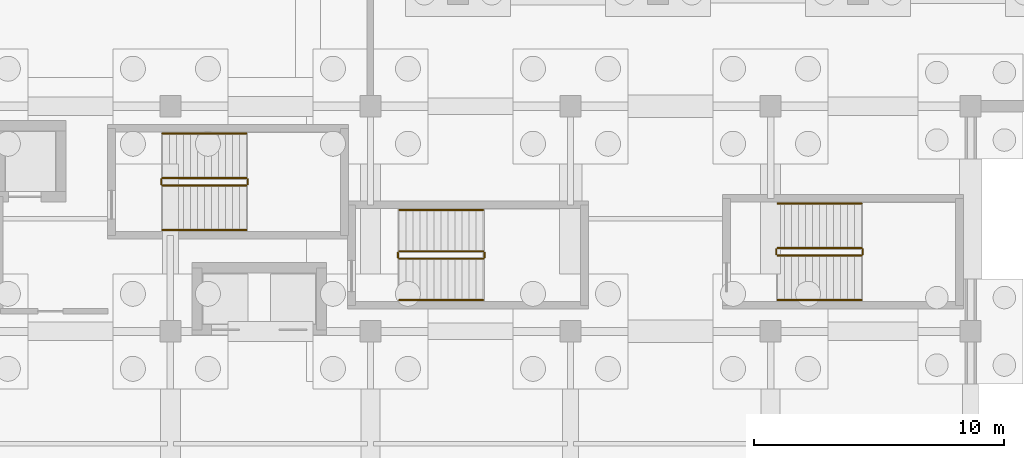
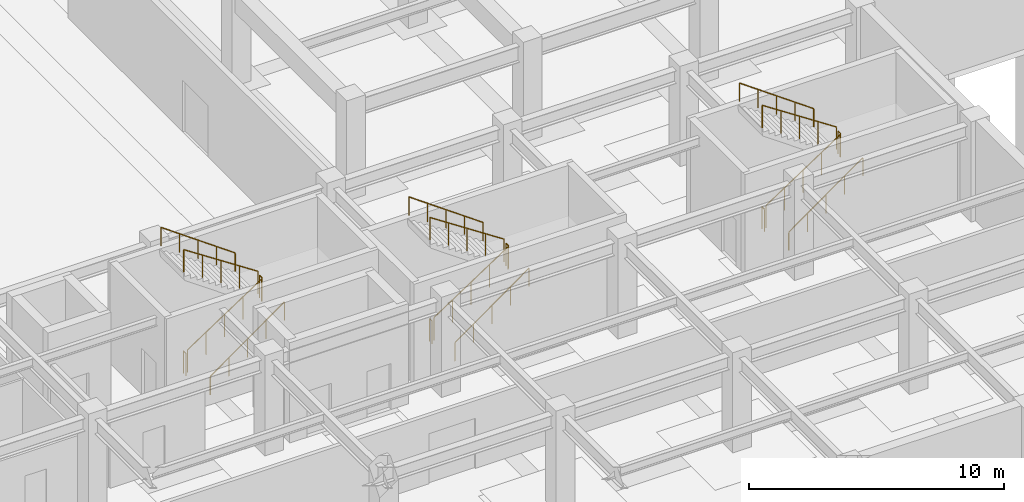
# One storey, part 42 of 48: 18 railings.
"""IFC4 building model written with IfcOpenShell, lengths in metres."""

from ifc_helpers import new_model, si_unit, direction, frame, origin, origin_2d, place, context, subcontext, project, spatial, circle, extrude, material, type_object, element, save


model = new_model("IFC4")

# Units and contexts
model_context = context("Model", 3, precision=1e-05, world=origin(), true_north=direction((0.0, 1.0)))
body_context = subcontext(model_context, "Body", "Model", "MODEL_VIEW")
ifc_project = project(units=[si_unit("LENGTHUNIT", "METRE"), si_unit("AREAUNIT", "SQUARE_METRE"), si_unit("VOLUMEUNIT", "CUBIC_METRE"), si_unit("PLANEANGLEUNIT", "RADIAN"), si_unit("MASSUNIT", "GRAM", prefix="KILO")], contexts=[model_context])

# Site, building, storey
site_placement = place(None, origin())
site = spatial("IfcSite", under=ifc_project, at=site_placement, CompositionType="ELEMENT")
building_placement = place(site_placement, origin())
building = spatial("IfcBuilding", under=site, at=building_placement, Name="Tlacozan Convention Centre", CompositionType="ELEMENT")
storey_placement = place(building_placement, frame((0.0, 0.0, -4.800048828125)))
storey = spatial("IfcBuildingStorey", under=building, at=storey_placement, Name="B01", CompositionType="ELEMENT", Elevation=-4.800048828125)

# Railings
ifc_material = material(Name="Architectural Painted Galvanised Steel Railing", Category="steel")
railing_type_1 = type_object("IfcRailingType", Name="Stair Wall Handrail 900", PredefinedType="HANDRAIL", material=ifc_material)
railing_1_placement = place(storey_placement, frame((79.679931640625, 22.050048828125, 0.1845703125)))
element("IfcRailing", 1, at=railing_1_placement, inside=storey, type_object=railing_type_1, Name="B01 ST-02 stair handrail 1", PredefinedType="HANDRAIL", context=body_context, shape_type="SweptSolid", body=[
    extrude(circle(Radius=0.02392578125, at=origin_2d()), frame((0.0, 0.0, 0.8759765625), z_axis=(0.813725481382, 0.0, 0.581249379312), x_axis=(0.0, 1.0, 0.0)), (0.0, 0.0, 1.0), 4.12939453125),
    extrude(circle(Radius=0.02099609375, at=origin_2d()), origin(), (0.0, 0.0, 1.0), 0.851806640625),
    extrude(circle(Radius=0.02099609375, at=origin_2d()), frame((0.840087890625, 0.0, 0.60009765625)), (0.0, 0.0, 1.0), 0.851806640625),
    extrude(circle(Radius=0.02099609375, at=origin_2d()), frame((1.68017578125, 0.0, 1.2001953125)), (0.0, 0.0, 1.0), 0.851806640625),
    extrude(circle(Radius=0.02099609375, at=origin_2d()), frame((2.52001953125, 0.0, 1.800048828125)), (0.0, 0.0, 1.0), 0.851806640625),
    extrude(circle(Radius=0.02099609375, at=origin_2d()), frame((3.360107421875, 0.0, 2.400146484375)), (0.0, 0.0, 1.0), 0.851806640625),
])
railing_2_placement = place(storey_placement, frame((83.0400390625, 25.909912109375, 2.584716796875)))
element("IfcRailing", 2, at=railing_2_placement, inside=storey, type_object=railing_type_1, Name="B01 ST-02 stair handrail 2", PredefinedType="HANDRAIL", context=body_context, shape_type="SweptSolid", body=[
    extrude(circle(Radius=0.02392578125, at=origin_2d()), frame((0.0, 0.0, 0.8759765625), z_axis=(-0.813753445783, 0.0, 0.581210228297), x_axis=(0.0, -1.0, 0.0)), (0.0, 0.0, 1.0), 4.129150390625),
    extrude(circle(Radius=0.02099609375, at=origin_2d()), origin(), (0.0, 0.0, 1.0), 0.851806640625),
    extrude(circle(Radius=0.02099609375, at=origin_2d()), frame((-0.840087890625, 0.0, 0.60009765625)), (0.0, 0.0, 1.0), 0.851806640625),
    extrude(circle(Radius=0.02099609375, at=origin_2d()), frame((-1.68017578125, 0.0, 1.199951171875)), (0.0, 0.0, 1.0), 0.851806640625),
    extrude(circle(Radius=0.02099609375, at=origin_2d()), frame((-2.52001953125, 0.0, 1.7998046875)), (0.0, 0.0, 1.0), 0.851806640625),
    extrude(circle(Radius=0.02099609375, at=origin_2d()), frame((-3.360107421875, 0.0, 2.39990234375)), (0.0, 0.0, 1.0), 0.851806640625),
])
railing_3_placement = place(storey_placement, frame((104.280029296875, 19.25, 0.1845703125)))
element("IfcRailing", 3, at=railing_3_placement, inside=storey, type_object=railing_type_1, Name="B01 ST-05 stair handrail 1", PredefinedType="HANDRAIL", context=body_context, shape_type="SweptSolid", body=[
    extrude(circle(Radius=0.02392578125, at=origin_2d()), frame((0.0, 0.0, 0.8759765625), z_axis=(0.813705504801, 0.0, 0.581277344696), x_axis=(0.0, 1.0, 0.0)), (0.0, 0.0, 1.0), 4.129150390625),
    extrude(circle(Radius=0.02099609375, at=origin_2d()), origin(), (0.0, 0.0, 1.0), 0.851806640625),
    extrude(circle(Radius=0.02099609375, at=origin_2d()), frame((0.83984375, 0.0, 0.60009765625)), (0.0, 0.0, 1.0), 0.851806640625),
    extrude(circle(Radius=0.02099609375, at=origin_2d()), frame((1.679931640625, 0.0, 1.2001953125)), (0.0, 0.0, 1.0), 0.851806640625),
    extrude(circle(Radius=0.02099609375, at=origin_2d()), frame((2.52001953125, 0.0, 1.800048828125)), (0.0, 0.0, 1.0), 0.851806640625),
    extrude(circle(Radius=0.02099609375, at=origin_2d()), frame((3.35986328125, 0.0, 2.400146484375)), (0.0, 0.0, 1.0), 0.851806640625),
])
railing_4_placement = place(storey_placement, frame((107.639892578125, 23.110107421875, 2.584716796875)))
element("IfcRailing", 4, at=railing_4_placement, inside=storey, type_object=railing_type_1, Name="B01 ST-05 stair handrail 2", PredefinedType="HANDRAIL", context=body_context, shape_type="SweptSolid", body=[
    extrude(circle(Radius=0.02392578125, at=origin_2d()), frame((0.0, 0.0, 0.8759765625), z_axis=(-0.813733471207, 0.0, 0.581238193719), x_axis=(0.0, -1.0, 0.0)), (0.0, 0.0, 1.0), 4.12890625),
    extrude(circle(Radius=0.02099609375, at=origin_2d()), origin(), (0.0, 0.0, 1.0), 0.851806640625),
    extrude(circle(Radius=0.02099609375, at=origin_2d()), frame((-0.83984375, 0.0, 0.60009765625)), (0.0, 0.0, 1.0), 0.851806640625),
    extrude(circle(Radius=0.02099609375, at=origin_2d()), frame((-1.679931640625, 0.0, 1.199951171875)), (0.0, 0.0, 1.0), 0.851806640625),
    extrude(circle(Radius=0.02099609375, at=origin_2d()), frame((-2.52001953125, 0.0, 1.7998046875)), (0.0, 0.0, 1.0), 0.851806640625),
    extrude(circle(Radius=0.02099609375, at=origin_2d()), frame((-3.35986328125, 0.0, 2.39990234375)), (0.0, 0.0, 1.0), 0.851806640625),
])
railing_5_placement = place(storey_placement, frame((89.14990234375, 19.25, 0.1845703125)))
element("IfcRailing", 5, at=railing_5_placement, inside=storey, type_object=railing_type_1, Name="B01 ST-15 stair handrail 1", PredefinedType="HANDRAIL", context=body_context, shape_type="SweptSolid", body=[
    extrude(circle(Radius=0.02392578125, at=origin_2d()), frame((0.0, 0.0, 0.8759765625), z_axis=(0.813725481382, 0.0, 0.581249379312), x_axis=(0.0, 1.0, 0.0)), (0.0, 0.0, 1.0), 4.12939453125),
    extrude(circle(Radius=0.02099609375, at=origin_2d()), origin(), (0.0, 0.0, 1.0), 0.851806640625),
    extrude(circle(Radius=0.02099609375, at=origin_2d()), frame((0.840087890625, 0.0, 0.60009765625)), (0.0, 0.0, 1.0), 0.851806640625),
    extrude(circle(Radius=0.02099609375, at=origin_2d()), frame((1.68017578125, 0.0, 1.2001953125)), (0.0, 0.0, 1.0), 0.851806640625),
    extrude(circle(Radius=0.02099609375, at=origin_2d()), frame((2.52001953125, 0.0, 1.800048828125)), (0.0, 0.0, 1.0), 0.851806640625),
    extrude(circle(Radius=0.02099609375, at=origin_2d()), frame((3.360107421875, 0.0, 2.400146484375)), (0.0, 0.0, 1.0), 0.851806640625),
])
railing_6_placement = place(storey_placement, frame((92.510009765625, 22.85009765625, 2.584716796875)))
element("IfcRailing", 6, at=railing_6_placement, inside=storey, type_object=railing_type_1, Name="B01 ST-15 stair handrail 2", PredefinedType="HANDRAIL", context=body_context, shape_type="SweptSolid", body=[
    extrude(circle(Radius=0.02392578125, at=origin_2d()), frame((0.0, 0.0, 0.8759765625), z_axis=(-0.813753445783, 0.0, 0.581210228297), x_axis=(0.0, -1.0, 0.0)), (0.0, 0.0, 1.0), 4.129150390625),
    extrude(circle(Radius=0.02099609375, at=origin_2d()), origin(), (0.0, 0.0, 1.0), 0.851806640625),
    extrude(circle(Radius=0.02099609375, at=origin_2d()), frame((-0.840087890625, 0.0, 0.60009765625)), (0.0, 0.0, 1.0), 0.851806640625),
    extrude(circle(Radius=0.02099609375, at=origin_2d()), frame((-1.68017578125, 0.0, 1.199951171875)), (0.0, 0.0, 1.0), 0.851806640625),
    extrude(circle(Radius=0.02099609375, at=origin_2d()), frame((-2.52001953125, 0.0, 1.7998046875)), (0.0, 0.0, 1.0), 0.851806640625),
    extrude(circle(Radius=0.02099609375, at=origin_2d()), frame((-3.360107421875, 0.0, 2.39990234375)), (0.0, 0.0, 1.0), 0.851806640625),
])
railing_type_2 = type_object("IfcRailingType", Name="Stair Well Guardrail 1100", PredefinedType="GUARDRAIL", material=ifc_material)
railing_7_placement = place(storey_placement, frame((79.679931640625, 23.830078125, 0.1845703125)))
element("IfcRailing", 7, at=railing_7_placement, inside=storey, type_object=railing_type_2, Name="B01 ST-02 stair guard 1", PredefinedType="GUARDRAIL", context=body_context, shape_type="SweptSolid", body=[
    extrude(circle(Radius=0.02392578125, at=origin_2d()), frame((0.0, 0.0, 1.076171875), z_axis=(0.834848600103, 0.0, 0.550479622607), x_axis=(0.0, 1.0, 0.0)), (0.0, 0.0, 1.0), 4.02490234375),
    extrude(circle(Radius=0.02099609375, at=origin_2d()), origin(), (0.0, 0.0, 1.0), 1.052001953125),
    extrude(circle(Radius=0.02099609375, at=origin_2d()), frame((0.840087890625, 0.0, 0.553955078125)), (0.0, 0.0, 1.0), 1.052001953125),
    extrude(circle(Radius=0.02099609375, at=origin_2d()), frame((1.68017578125, 0.0, 1.10791015625)), (0.0, 0.0, 1.0), 1.052001953125),
    extrude(circle(Radius=0.02099609375, at=origin_2d()), frame((2.52001953125, 0.0, 1.66162109375)), (0.0, 0.0, 1.0), 1.052001953125),
    extrude(circle(Radius=0.02099609375, at=origin_2d()), frame((3.360107421875, 0.0, 2.215576171875)), (0.0, 0.0, 1.0), 1.052001953125),
])
railing_8_placement = place(storey_placement, frame((83.090087890625, 23.8798828125, 2.400146484375)))
element("IfcRailing", 8, at=railing_8_placement, inside=storey, type_object=railing_type_2, Name="B01 ST-02 stair guard 2", PredefinedType="GUARDRAIL", context=body_context, shape_type="SweptSolid", body=[
    extrude(circle(Radius=0.02392578125, at=origin_2d()), frame((0.0, 0.0, 1.076171875), z_axis=(0.0, 1.0, 0.0), x_axis=(-1.0, 0.0, 0.0)), (0.0, 0.0, 1.0), 0.2001953125),
    extrude(circle(Radius=0.02099609375, at=origin_2d()), origin(), (0.0, 0.0, 1.0), 1.052001953125),
    extrude(circle(Radius=0.02099609375, at=origin_2d()), frame((0.0, 0.2001953125, 0.0)), (0.0, 0.0, 1.0), 1.052001953125),
])
railing_9_placement = place(storey_placement, frame((83.0400390625, 24.1298828125, 2.584716796875)))
element("IfcRailing", 9, at=railing_9_placement, inside=storey, type_object=railing_type_2, Name="B01 ST-02 stair guard 3", PredefinedType="GUARDRAIL", context=body_context, shape_type="SweptSolid", body=[
    extrude(circle(Radius=0.02392578125, at=origin_2d()), frame((0.0, 0.0, 1.076171875), z_axis=(-0.834876476806, 0.0, 0.550437342915), x_axis=(0.0, -1.0, 0.0)), (0.0, 0.0, 1.0), 4.024658203125),
    extrude(circle(Radius=0.02099609375, at=origin_2d()), origin(), (0.0, 0.0, 1.0), 1.052001953125),
    extrude(circle(Radius=0.02099609375, at=origin_2d()), frame((-0.840087890625, 0.0, 0.5537109375)), (0.0, 0.0, 1.0), 1.052001953125),
    extrude(circle(Radius=0.02099609375, at=origin_2d()), frame((-1.68017578125, 0.0, 1.107666015625)), (0.0, 0.0, 1.0), 1.052001953125),
    extrude(circle(Radius=0.02099609375, at=origin_2d()), frame((-2.52001953125, 0.0, 1.66162109375)), (0.0, 0.0, 1.0), 1.052001953125),
    extrude(circle(Radius=0.02099609375, at=origin_2d()), frame((-3.360107421875, 0.0, 2.21533203125)), (0.0, 0.0, 1.0), 1.052001953125),
])
railing_10_placement = place(storey_placement, frame((79.6298828125, 23.8798828125, 0.0)))
element("IfcRailing", 10, at=railing_10_placement, inside=storey, type_object=railing_type_2, Name="B01 ST-02 stair guard 4", PredefinedType="GUARDRAIL", context=body_context, shape_type="SweptSolid", body=[
    extrude(circle(Radius=0.02392578125, at=origin_2d()), frame((0.0, 0.0, 1.076171875), z_axis=(0.0, 1.0, 0.0), x_axis=(-1.0, 0.0, 0.0)), (0.0, 0.0, 1.0), 0.2001953125),
    extrude(circle(Radius=0.02099609375, at=origin_2d()), origin(), (0.0, 0.0, 1.0), 1.052001953125),
    extrude(circle(Radius=0.02099609375, at=origin_2d()), frame((0.0, 0.2001953125, 0.0)), (0.0, 0.0, 1.0), 1.052001953125),
])
railing_11_placement = place(storey_placement, frame((104.280029296875, 21.030029296875, 0.1845703125)))
element("IfcRailing", 11, at=railing_11_placement, inside=storey, type_object=railing_type_2, Name="B01 ST-05 stair guard 1", PredefinedType="GUARDRAIL", context=body_context, shape_type="SweptSolid", body=[
    extrude(circle(Radius=0.02392578125, at=origin_2d()), frame((0.0, 0.0, 1.076171875), z_axis=(0.83483021737, 0.0, 0.550507500554), x_axis=(0.0, 1.0, 0.0)), (0.0, 0.0, 1.0), 4.024658203125),
    extrude(circle(Radius=0.02099609375, at=origin_2d()), origin(), (0.0, 0.0, 1.0), 1.052001953125),
    extrude(circle(Radius=0.02099609375, at=origin_2d()), frame((0.83984375, 0.0, 0.553955078125)), (0.0, 0.0, 1.0), 1.052001953125),
    extrude(circle(Radius=0.02099609375, at=origin_2d()), frame((1.679931640625, 0.0, 1.10791015625)), (0.0, 0.0, 1.0), 1.052001953125),
    extrude(circle(Radius=0.02099609375, at=origin_2d()), frame((2.52001953125, 0.0, 1.66162109375)), (0.0, 0.0, 1.0), 1.052001953125),
    extrude(circle(Radius=0.02099609375, at=origin_2d()), frame((3.35986328125, 0.0, 2.215576171875)), (0.0, 0.0, 1.0), 1.052001953125),
])
railing_12_placement = place(storey_placement, frame((107.68994140625, 21.080078125, 2.400146484375)))
element("IfcRailing", 12, at=railing_12_placement, inside=storey, type_object=railing_type_2, Name="B01 ST-05 stair guard 2", PredefinedType="GUARDRAIL", context=body_context, shape_type="SweptSolid", body=[
    extrude(circle(Radius=0.02392578125, at=origin_2d()), frame((0.0, 0.0, 1.076171875), z_axis=(0.0, 1.0, 0.0), x_axis=(-1.0, 0.0, 0.0)), (0.0, 0.0, 1.0), 0.199951171875),
    extrude(circle(Radius=0.02099609375, at=origin_2d()), origin(), (0.0, 0.0, 1.0), 1.052001953125),
    extrude(circle(Radius=0.02099609375, at=origin_2d()), frame((0.0, 0.199951171875, 0.0)), (0.0, 0.0, 1.0), 1.052001953125),
])
railing_13_placement = place(storey_placement, frame((107.639892578125, 21.330078125, 2.584716796875)))
element("IfcRailing", 13, at=railing_13_placement, inside=storey, type_object=railing_type_2, Name="B01 ST-05 stair guard 3", PredefinedType="GUARDRAIL", context=body_context, shape_type="SweptSolid", body=[
    extrude(circle(Radius=0.02392578125, at=origin_2d()), frame((0.0, 0.0, 1.076171875), z_axis=(-0.834858096282, 0.0, 0.550465220583), x_axis=(0.0, -1.0, 0.0)), (0.0, 0.0, 1.0), 4.0244140625),
    extrude(circle(Radius=0.02099609375, at=origin_2d()), origin(), (0.0, 0.0, 1.0), 1.052001953125),
    extrude(circle(Radius=0.02099609375, at=origin_2d()), frame((-0.83984375, 0.0, 0.5537109375)), (0.0, 0.0, 1.0), 1.052001953125),
    extrude(circle(Radius=0.02099609375, at=origin_2d()), frame((-1.679931640625, 0.0, 1.107666015625)), (0.0, 0.0, 1.0), 1.052001953125),
    extrude(circle(Radius=0.02099609375, at=origin_2d()), frame((-2.52001953125, 0.0, 1.66162109375)), (0.0, 0.0, 1.0), 1.052001953125),
    extrude(circle(Radius=0.02099609375, at=origin_2d()), frame((-3.35986328125, 0.0, 2.21533203125)), (0.0, 0.0, 1.0), 1.052001953125),
])
railing_14_placement = place(storey_placement, frame((104.22998046875, 21.080078125, 0.0)))
element("IfcRailing", 14, at=railing_14_placement, inside=storey, type_object=railing_type_2, Name="B01 ST-05 stair guard 4", PredefinedType="GUARDRAIL", context=body_context, shape_type="SweptSolid", body=[
    extrude(circle(Radius=0.02392578125, at=origin_2d()), frame((0.0, 0.0, 1.076171875), z_axis=(0.0, 1.0, 0.0), x_axis=(-1.0, 0.0, 0.0)), (0.0, 0.0, 1.0), 0.199951171875),
    extrude(circle(Radius=0.02099609375, at=origin_2d()), origin(), (0.0, 0.0, 1.0), 1.052001953125),
    extrude(circle(Radius=0.02099609375, at=origin_2d()), frame((0.0, 0.199951171875, 0.0)), (0.0, 0.0, 1.0), 1.052001953125),
])
railing_15_placement = place(storey_placement, frame((89.14990234375, 20.89990234375, 0.1845703125)))
element("IfcRailing", 15, at=railing_15_placement, inside=storey, type_object=railing_type_2, Name="B01 ST-15 stair guard 1", PredefinedType="GUARDRAIL", context=body_context, shape_type="SweptSolid", body=[
    extrude(circle(Radius=0.02392578125, at=origin_2d()), frame((0.0, 0.0, 1.076171875), z_axis=(0.834848600103, 0.0, 0.550479622607), x_axis=(0.0, 1.0, 0.0)), (0.0, 0.0, 1.0), 4.02490234375),
    extrude(circle(Radius=0.02099609375, at=origin_2d()), origin(), (0.0, 0.0, 1.0), 1.052001953125),
    extrude(circle(Radius=0.02099609375, at=origin_2d()), frame((0.840087890625, 0.0, 0.553955078125)), (0.0, 0.0, 1.0), 1.052001953125),
    extrude(circle(Radius=0.02099609375, at=origin_2d()), frame((1.68017578125, 0.0, 1.10791015625)), (0.0, 0.0, 1.0), 1.052001953125),
    extrude(circle(Radius=0.02099609375, at=origin_2d()), frame((2.52001953125, 0.0, 1.66162109375)), (0.0, 0.0, 1.0), 1.052001953125),
    extrude(circle(Radius=0.02099609375, at=origin_2d()), frame((3.360107421875, 0.0, 2.215576171875)), (0.0, 0.0, 1.0), 1.052001953125),
])
railing_16_placement = place(storey_placement, frame((92.56005859375, 20.949951171875, 2.400146484375)))
element("IfcRailing", 16, at=railing_16_placement, inside=storey, type_object=railing_type_2, Name="B01 ST-15 stair guard 2", PredefinedType="GUARDRAIL", context=body_context, shape_type="SweptSolid", body=[
    extrude(circle(Radius=0.02392578125, at=origin_2d()), frame((0.0, 0.0, 1.076171875), z_axis=(0.0, 1.0, 0.0), x_axis=(-1.0, 0.0, 0.0)), (0.0, 0.0, 1.0), 0.199951171875),
    extrude(circle(Radius=0.02099609375, at=origin_2d()), origin(), (0.0, 0.0, 1.0), 1.052001953125),
    extrude(circle(Radius=0.02099609375, at=origin_2d()), frame((0.0, 0.199951171875, 0.0)), (0.0, 0.0, 1.0), 1.052001953125),
])
railing_17_placement = place(storey_placement, frame((92.510009765625, 21.199951171875, 2.584716796875)))
element("IfcRailing", 17, at=railing_17_placement, inside=storey, type_object=railing_type_2, Name="B01 ST-15 stair guard 3", PredefinedType="GUARDRAIL", context=body_context, shape_type="SweptSolid", body=[
    extrude(circle(Radius=0.02392578125, at=origin_2d()), frame((0.0, 0.0, 1.076171875), z_axis=(-0.834876476806, 0.0, 0.550437342915), x_axis=(0.0, -1.0, 0.0)), (0.0, 0.0, 1.0), 4.024658203125),
    extrude(circle(Radius=0.02099609375, at=origin_2d()), origin(), (0.0, 0.0, 1.0), 1.052001953125),
    extrude(circle(Radius=0.02099609375, at=origin_2d()), frame((-0.840087890625, 0.0, 0.5537109375)), (0.0, 0.0, 1.0), 1.052001953125),
    extrude(circle(Radius=0.02099609375, at=origin_2d()), frame((-1.68017578125, 0.0, 1.107666015625)), (0.0, 0.0, 1.0), 1.052001953125),
    extrude(circle(Radius=0.02099609375, at=origin_2d()), frame((-2.52001953125, 0.0, 1.66162109375)), (0.0, 0.0, 1.0), 1.052001953125),
    extrude(circle(Radius=0.02099609375, at=origin_2d()), frame((-3.360107421875, 0.0, 2.21533203125)), (0.0, 0.0, 1.0), 1.052001953125),
])
railing_18_placement = place(storey_placement, frame((89.10009765625, 20.949951171875, 0.0)))
element("IfcRailing", 18, at=railing_18_placement, inside=storey, type_object=railing_type_2, Name="B01 ST-15 stair guard 4", PredefinedType="GUARDRAIL", context=body_context, shape_type="SweptSolid", body=[
    extrude(circle(Radius=0.02392578125, at=origin_2d()), frame((0.0, 0.0, 1.076171875), z_axis=(0.0, 1.0, 0.0), x_axis=(-1.0, 0.0, 0.0)), (0.0, 0.0, 1.0), 0.199951171875),
    extrude(circle(Radius=0.02099609375, at=origin_2d()), origin(), (0.0, 0.0, 1.0), 1.052001953125),
    extrude(circle(Radius=0.02099609375, at=origin_2d()), frame((0.0, 0.199951171875, 0.0)), (0.0, 0.0, 1.0), 1.052001953125),
])

save(model, "model.ifc")
